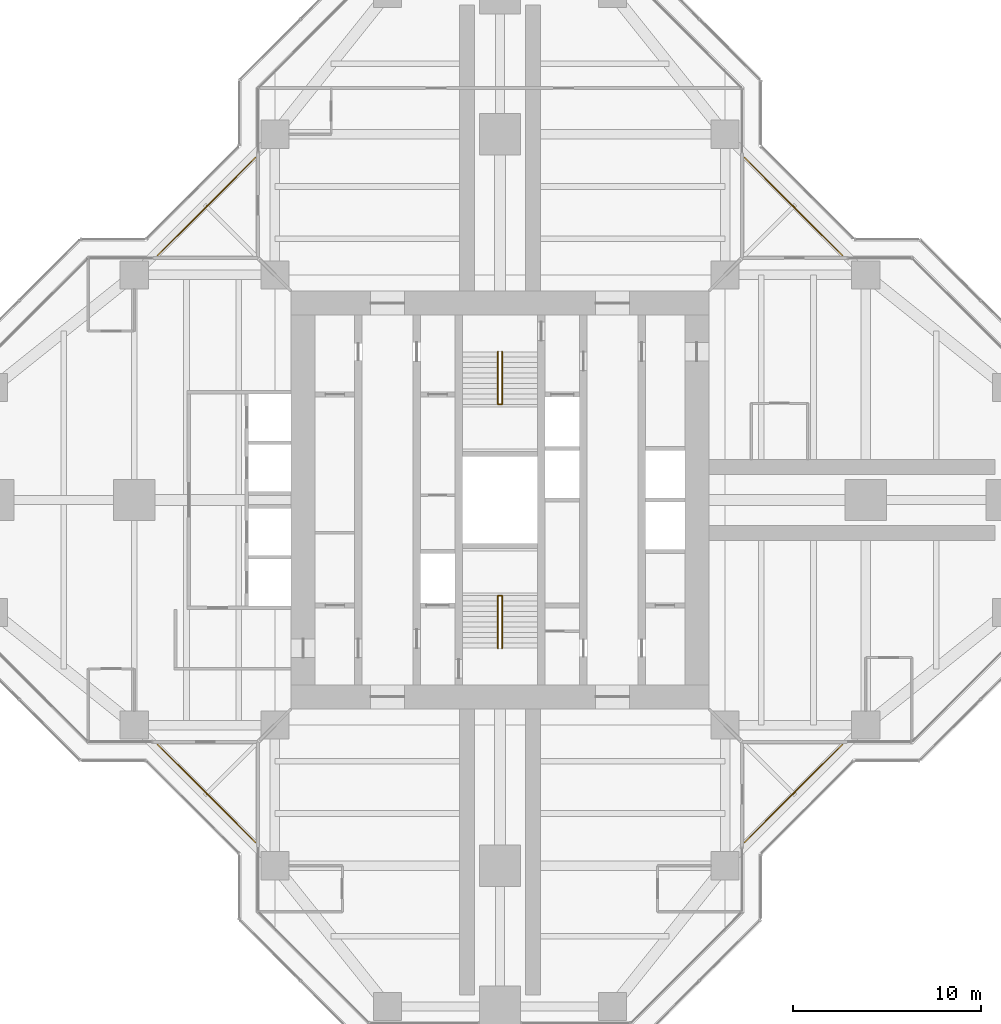
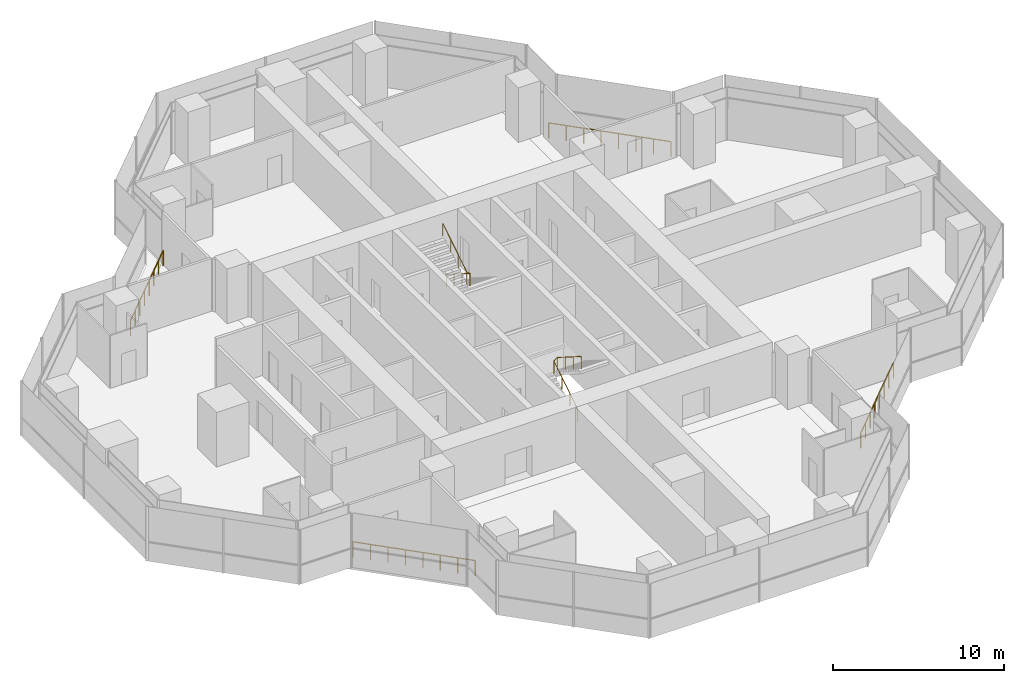
# One storey, part 17 of 17: 6 railings.
"""IFC4 building model written with IfcOpenShell, lengths in metres."""

from ifc_helpers import new_model, si_unit, direction, frame, origin, origin_2d, place, context, subcontext, project, spatial, circle, extrude, material, type_object, element, save


model = new_model("IFC4")

# Units and contexts
model_context = context("Model", 3, precision=1e-05, world=origin(), true_north=direction((0.0, 1.0)))
body_context = subcontext(model_context, "Body", "Model", "MODEL_VIEW")
ifc_project = project(units=[si_unit("LENGTHUNIT", "METRE"), si_unit("AREAUNIT", "SQUARE_METRE"), si_unit("VOLUMEUNIT", "CUBIC_METRE"), si_unit("PLANEANGLEUNIT", "RADIAN"), si_unit("MASSUNIT", "GRAM", prefix="KILO")], contexts=[model_context])

# Site, building, storey
site_placement = place(None, origin())
site = spatial("IfcSite", under=ifc_project, at=site_placement, CompositionType="ELEMENT")
building_placement = place(site_placement, origin())
building = spatial("IfcBuilding", under=site, at=building_placement, Name="Mizan Broadcast Tower", CompositionType="ELEMENT")
storey_placement = place(building_placement, frame((0.0, 0.0, 263.39990234375)))
storey = spatial("IfcBuildingStorey", under=building, at=storey_placement, Name="L62", CompositionType="ELEMENT", Elevation=263.39990234375)

# Railings
ifc_material_1 = material(Name="Stainless steel and glass guard", Category="steel")
railing_type_1 = type_object("IfcRailingType", Name="GUARD 1100", PredefinedType="GUARDRAIL", material=ifc_material_1)
railing_1_placement = place(storey_placement, frame((18.2578125, 13.030029296875, 0.0)))
element("IfcRailing", 1, at=railing_1_placement, inside=storey, type_object=railing_type_1, Name="Winter garden guard L62 E", PredefinedType="GUARDRAIL", context=body_context, shape_type="SweptSolid", body=[
    extrude(circle(Radius=0.02392578125, at=origin_2d()), frame((0.0, 0.0, 1.076171875), z_axis=(-0.707106781187, 0.707106781187, 0.0), x_axis=(-0.707106781187, -0.707106781187, 0.0)), (0.0, 0.0, 1.0), 7.393310546875),
    extrude(circle(Radius=0.02099609375, at=origin_2d()), origin(), (0.0, 0.0, 1.0), 1.052001953125),
    extrude(circle(Radius=0.02099609375, at=origin_2d()), frame((-0.746826171875, 0.746826171875, 0.0)), (0.0, 0.0, 1.0), 1.052001953125),
    extrude(circle(Radius=0.02099609375, at=origin_2d()), frame((-1.49365234375, 1.49365234375, 0.0)), (0.0, 0.0, 1.0), 1.052001953125),
    extrude(circle(Radius=0.02099609375, at=origin_2d()), frame((-2.240478515625, 2.240478515625, 0.0)), (0.0, 0.0, 1.0), 1.052001953125),
    extrude(circle(Radius=0.02099609375, at=origin_2d()), frame((-2.9873046875, 2.9873046875, 0.0)), (0.0, 0.0, 1.0), 1.052001953125),
    extrude(circle(Radius=0.02099609375, at=origin_2d()), frame((-3.734130859375, 3.734130859375, 0.0)), (0.0, 0.0, 1.0), 1.052001953125),
    extrude(circle(Radius=0.02099609375, at=origin_2d()), frame((-4.48095703125, 4.48095703125, 0.0)), (0.0, 0.0, 1.0), 1.052001953125),
    extrude(circle(Radius=0.02099609375, at=origin_2d()), frame((-5.227783203125, 5.227783203125, 0.0)), (0.0, 0.0, 1.0), 1.052001953125),
])
railing_2_placement = place(storey_placement, frame((-13.030029296875, 18.2578125, 0.0)))
element("IfcRailing", 2, at=railing_2_placement, inside=storey, type_object=railing_type_1, Name="Winter garden guard L62 N", PredefinedType="GUARDRAIL", context=body_context, shape_type="SweptSolid", body=[
    extrude(circle(Radius=0.02392578125, at=origin_2d()), frame((0.0, 0.0, 1.076171875), z_axis=(-0.707106781187, -0.707106781187, 0.0), x_axis=(0.707106781187, -0.707106781187, 0.0)), (0.0, 0.0, 1.0), 7.393310546875),
    extrude(circle(Radius=0.02099609375, at=origin_2d()), origin(), (0.0, 0.0, 1.0), 1.052001953125),
    extrude(circle(Radius=0.02099609375, at=origin_2d()), frame((-0.746826171875, -0.746826171875, 0.0)), (0.0, 0.0, 1.0), 1.052001953125),
    extrude(circle(Radius=0.02099609375, at=origin_2d()), frame((-1.49365234375, -1.49365234375, 0.0)), (0.0, 0.0, 1.0), 1.052001953125),
    extrude(circle(Radius=0.02099609375, at=origin_2d()), frame((-2.240478515625, -2.240478515625, 0.0)), (0.0, 0.0, 1.0), 1.052001953125),
    extrude(circle(Radius=0.02099609375, at=origin_2d()), frame((-2.9873046875, -2.9873046875, 0.0)), (0.0, 0.0, 1.0), 1.052001953125),
    extrude(circle(Radius=0.02099609375, at=origin_2d()), frame((-3.734130859375, -3.734130859375, 0.0)), (0.0, 0.0, 1.0), 1.052001953125),
    extrude(circle(Radius=0.02099609375, at=origin_2d()), frame((-4.48095703125, -4.48095703125, 0.0)), (0.0, 0.0, 1.0), 1.052001953125),
    extrude(circle(Radius=0.02099609375, at=origin_2d()), frame((-5.227783203125, -5.227783203125, 0.0)), (0.0, 0.0, 1.0), 1.052001953125),
])
railing_3_placement = place(storey_placement, frame((-18.2578125, -13.030029296875, 0.0)))
element("IfcRailing", 3, at=railing_3_placement, inside=storey, type_object=railing_type_1, Name="Winter garden guard L62 W", PredefinedType="GUARDRAIL", context=body_context, shape_type="SweptSolid", body=[
    extrude(circle(Radius=0.02392578125, at=origin_2d()), frame((0.0, 0.0, 1.076171875), z_axis=(0.707106781187, -0.707106781187, 0.0), x_axis=(0.707106781187, 0.707106781187, 0.0)), (0.0, 0.0, 1.0), 7.393310546875),
    extrude(circle(Radius=0.02099609375, at=origin_2d()), origin(), (0.0, 0.0, 1.0), 1.052001953125),
    extrude(circle(Radius=0.02099609375, at=origin_2d()), frame((0.746826171875, -0.746826171875, 0.0)), (0.0, 0.0, 1.0), 1.052001953125),
    extrude(circle(Radius=0.02099609375, at=origin_2d()), frame((1.49365234375, -1.49365234375, 0.0)), (0.0, 0.0, 1.0), 1.052001953125),
    extrude(circle(Radius=0.02099609375, at=origin_2d()), frame((2.240478515625, -2.240478515625, 0.0)), (0.0, 0.0, 1.0), 1.052001953125),
    extrude(circle(Radius=0.02099609375, at=origin_2d()), frame((2.9873046875, -2.9873046875, 0.0)), (0.0, 0.0, 1.0), 1.052001953125),
    extrude(circle(Radius=0.02099609375, at=origin_2d()), frame((3.734130859375, -3.734130859375, 0.0)), (0.0, 0.0, 1.0), 1.052001953125),
    extrude(circle(Radius=0.02099609375, at=origin_2d()), frame((4.48095703125, -4.48095703125, 0.0)), (0.0, 0.0, 1.0), 1.052001953125),
    extrude(circle(Radius=0.02099609375, at=origin_2d()), frame((5.227783203125, -5.227783203125, 0.0)), (0.0, 0.0, 1.0), 1.052001953125),
])
railing_4_placement = place(storey_placement, frame((13.030029296875, -18.2578125, 0.0)))
element("IfcRailing", 4, at=railing_4_placement, inside=storey, type_object=railing_type_1, Name="Winter garden guard L62 S", PredefinedType="GUARDRAIL", context=body_context, shape_type="SweptSolid", body=[
    extrude(circle(Radius=0.02392578125, at=origin_2d()), frame((0.0, 0.0, 1.076171875), z_axis=(0.707106781187, 0.707106781187, 0.0), x_axis=(-0.707106781187, 0.707106781187, 0.0)), (0.0, 0.0, 1.0), 7.393310546875),
    extrude(circle(Radius=0.02099609375, at=origin_2d()), origin(), (0.0, 0.0, 1.0), 1.052001953125),
    extrude(circle(Radius=0.02099609375, at=origin_2d()), frame((0.746826171875, 0.746826171875, 0.0)), (0.0, 0.0, 1.0), 1.052001953125),
    extrude(circle(Radius=0.02099609375, at=origin_2d()), frame((1.49365234375, 1.49365234375, 0.0)), (0.0, 0.0, 1.0), 1.052001953125),
    extrude(circle(Radius=0.02099609375, at=origin_2d()), frame((2.240478515625, 2.240478515625, 0.0)), (0.0, 0.0, 1.0), 1.052001953125),
    extrude(circle(Radius=0.02099609375, at=origin_2d()), frame((2.9873046875, 2.9873046875, 0.0)), (0.0, 0.0, 1.0), 1.052001953125),
    extrude(circle(Radius=0.02099609375, at=origin_2d()), frame((3.734130859375, 3.734130859375, 0.0)), (0.0, 0.0, 1.0), 1.052001953125),
    extrude(circle(Radius=0.02099609375, at=origin_2d()), frame((4.48095703125, 4.48095703125, 0.0)), (0.0, 0.0, 1.0), 1.052001953125),
    extrude(circle(Radius=0.02099609375, at=origin_2d()), frame((5.227783203125, 5.227783203125, 0.0)), (0.0, 0.0, 1.0), 1.052001953125),
])
ifc_material_2 = material(Name="Stainless steel", Category="steel")
railing_type_2 = type_object("IfcRailingType", Name="HANDRAIL 50", PredefinedType="HANDRAIL", material=ifc_material_2)
railing_5_placement = place(storey_placement, frame((-0.110107421875, -7.89990234375, 0.177490234375)))
element("IfcRailing", 5, at=railing_5_placement, inside=storey, type_object=railing_type_2, Name="Stair A handrail", PredefinedType="HANDRAIL", context=body_context, shape_type="SweptSolid", body=[
    extrude(circle(Radius=0.02392578125, at=origin_2d()), frame((0.0, 0.0, 0.8759765625), z_axis=(0.0, 0.844887892834, 0.53494340686), x_axis=(-1.0, 0.0, 0.0)), (0.0, 0.0, 1.0), 3.313720703125),
    extrude(circle(Radius=0.02392578125, at=origin_2d()), frame((0.0, 2.7998046875, 2.6484375), z_axis=(0.779011685263, 0.0, 0.627009405212), x_axis=(0.0, 1.0, 0.0)), (0.0, 0.0, 1.0), 0.28271484375),
    extrude(circle(Radius=0.02392578125, at=origin_2d()), frame((0.22021484375, 2.7998046875, 2.82568359375), z_axis=(0.0, -0.844887892834, 0.53494340686), x_axis=(1.0, 0.0, 0.0)), (0.0, 0.0, 1.0), 3.313720703125),
    extrude(circle(Radius=0.02099609375, at=origin_2d()), origin(), (0.0, 0.0, 1.0), 0.851806640625),
    extrude(circle(Radius=0.02099609375, at=origin_2d()), frame((0.0, 0.933349609375, 0.5908203125)), (0.0, 0.0, 1.0), 0.851806640625),
    extrude(circle(Radius=0.02099609375, at=origin_2d()), frame((0.0, 1.866455078125, 1.181884765625)), (0.0, 0.0, 1.0), 0.851806640625),
    extrude(circle(Radius=0.02099609375, at=origin_2d()), frame((0.0, 2.7998046875, 1.772705078125)), (0.0, 0.0, 1.0), 0.851806640625),
    extrude(circle(Radius=0.02099609375, at=origin_2d()), frame((0.22021484375, 2.7998046875, 1.949951171875)), (0.0, 0.0, 1.0), 0.851806640625),
    extrude(circle(Radius=0.02099609375, at=origin_2d()), frame((0.22021484375, 1.866455078125, 2.540771484375)), (0.0, 0.0, 1.0), 0.851806640625),
    extrude(circle(Radius=0.02099609375, at=origin_2d()), frame((0.22021484375, 0.933349609375, 3.1318359375)), (0.0, 0.0, 1.0), 0.851806640625),
    extrude(circle(Radius=0.02099609375, at=origin_2d()), frame((0.22021484375, 0.0, 3.72265625)), (0.0, 0.0, 1.0), 0.851806640625),
])
railing_6_placement = place(storey_placement, frame((0.110107421875, 7.89990234375, 0.177490234375)))
element("IfcRailing", 6, at=railing_6_placement, inside=storey, type_object=railing_type_2, Name="Stair B handrail", PredefinedType="HANDRAIL", context=body_context, shape_type="SweptSolid", body=[
    extrude(circle(Radius=0.02392578125, at=origin_2d()), frame((0.0, 0.0, 0.8759765625), z_axis=(0.0, -0.844887892834, 0.53494340686), x_axis=(1.0, 0.0, 0.0)), (0.0, 0.0, 1.0), 3.313720703125),
    extrude(circle(Radius=0.02392578125, at=origin_2d()), frame((0.0, -2.7998046875, 2.6484375), z_axis=(-0.779011685263, 0.0, 0.627009405212), x_axis=(0.0, -1.0, 0.0)), (0.0, 0.0, 1.0), 0.28271484375),
    extrude(circle(Radius=0.02392578125, at=origin_2d()), frame((-0.22021484375, -2.7998046875, 2.82568359375), z_axis=(0.0, 0.844887892834, 0.53494340686), x_axis=(-1.0, 0.0, 0.0)), (0.0, 0.0, 1.0), 3.313720703125),
    extrude(circle(Radius=0.02099609375, at=origin_2d()), origin(), (0.0, 0.0, 1.0), 0.851806640625),
    extrude(circle(Radius=0.02099609375, at=origin_2d()), frame((0.0, -0.933349609375, 0.5908203125)), (0.0, 0.0, 1.0), 0.851806640625),
    extrude(circle(Radius=0.02099609375, at=origin_2d()), frame((0.0, -1.866455078125, 1.181884765625)), (0.0, 0.0, 1.0), 0.851806640625),
    extrude(circle(Radius=0.02099609375, at=origin_2d()), frame((0.0, -2.7998046875, 1.772705078125)), (0.0, 0.0, 1.0), 0.851806640625),
    extrude(circle(Radius=0.02099609375, at=origin_2d()), frame((-0.22021484375, -2.7998046875, 1.949951171875)), (0.0, 0.0, 1.0), 0.851806640625),
    extrude(circle(Radius=0.02099609375, at=origin_2d()), frame((-0.22021484375, -1.866455078125, 2.540771484375)), (0.0, 0.0, 1.0), 0.851806640625),
    extrude(circle(Radius=0.02099609375, at=origin_2d()), frame((-0.22021484375, -0.933349609375, 3.1318359375)), (0.0, 0.0, 1.0), 0.851806640625),
    extrude(circle(Radius=0.02099609375, at=origin_2d()), frame((-0.22021484375, 0.0, 3.72265625)), (0.0, 0.0, 1.0), 0.851806640625),
])

save(model, "model.ifc")
